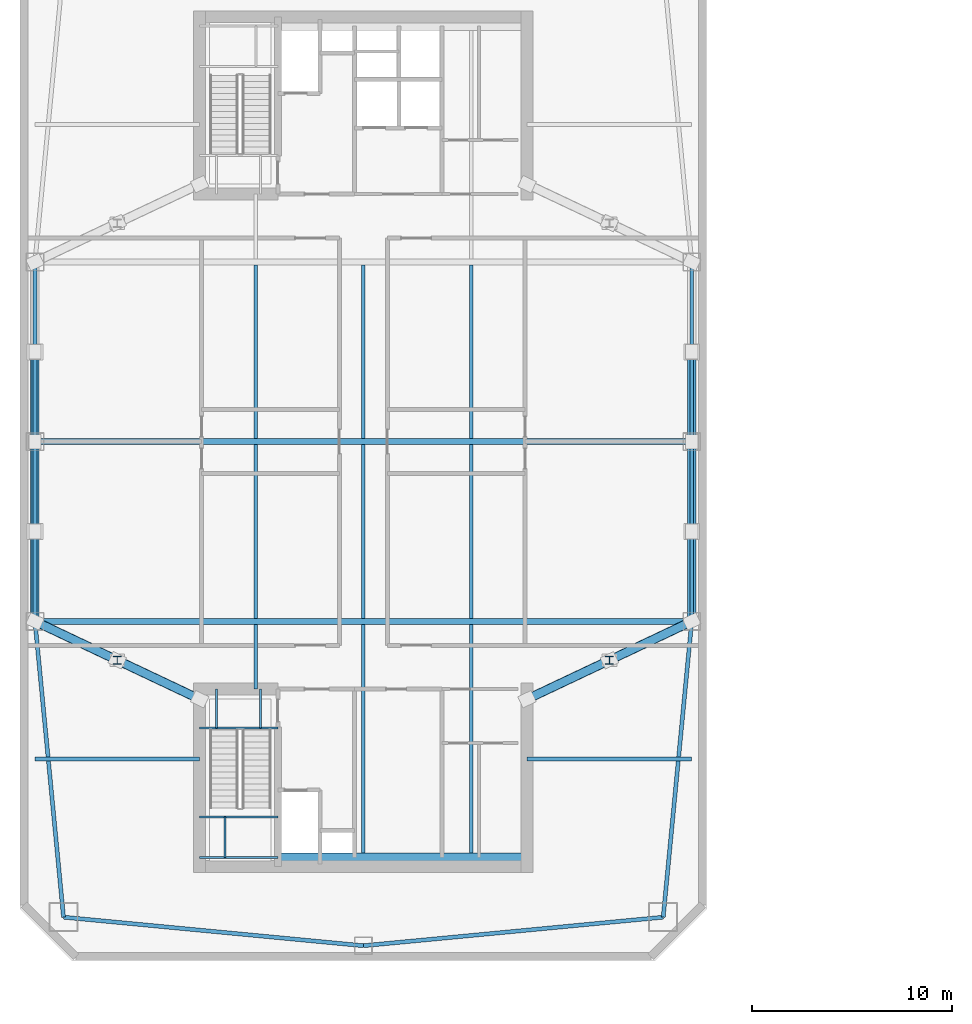
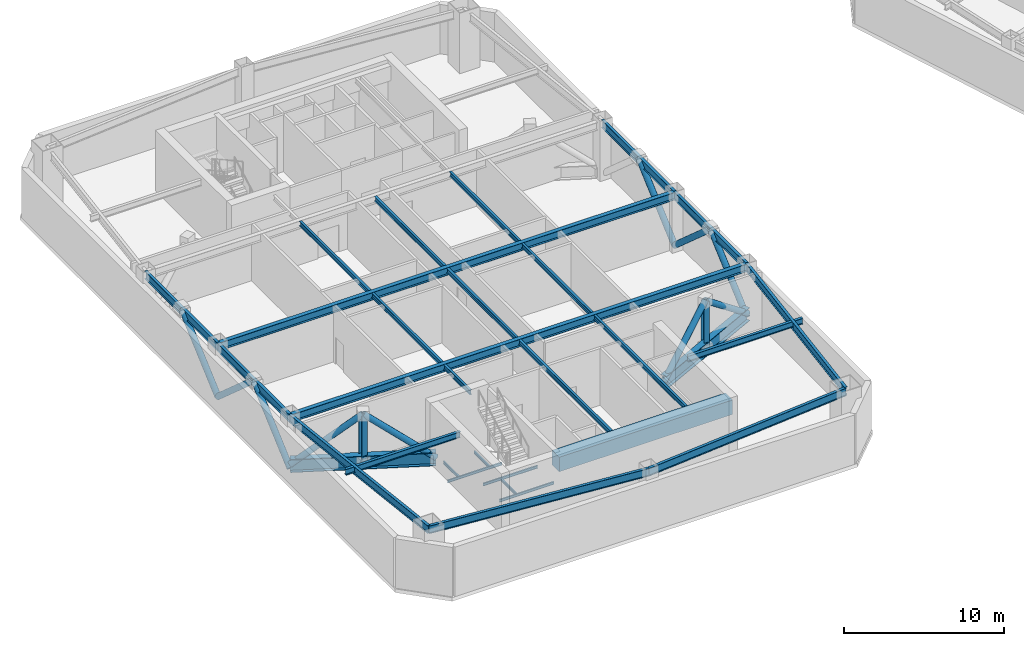
# One storey, part 3 of 17: 30 beams, 12 members.
"""IFC4 building model written with IfcOpenShell, lengths in metres."""

import ifcopenshell
import ifcopenshell.guid

model = None  # the IFC model being written
_history = None  # IfcOwnerHistory: only IFC2X3 demands one
_inside = {}  # id of a spatial element -> (the spatial element, [elements in it])
_under = {}  # id of a project, library or spatial element -> (it, [spatial elements below it])
_declared = {}  # id of a project -> (the project, [libraries it declares])
_typed = {}  # id of a type object -> (the type object, [elements of that type])
_made_of = {}  # id of a material, layer set ... -> (it, [elements and type objects made of it])


def new_model(schema):
    """Start an empty IFC model of exactly this schema.

    Asked for "IFC4X3", IfcOpenShell would pick the latest addendum, in which some entities
    have other attributes; the version numbers below select the first issue.
    IFC2X3 requires an IfcOwnerHistory on every rooted entity: one is made here for all.
    """
    global model, _history
    if schema == "IFC4X3":
        model = ifcopenshell.file(schema_version=(4, 3, 0, 0))
    else:
        model = ifcopenshell.file(schema=schema)
    _inside.clear()
    _under.clear()
    _declared.clear()
    _typed.clear()
    _made_of.clear()
    _history = None
    if model.schema == "IFC2X3":
        org = make("IfcOrganization", Name="unknown")
        user = make(
            "IfcPersonAndOrganization",
            ThePerson=make("IfcPerson", FamilyName="unknown"),
            TheOrganization=org,
        )
        app = make(
            "IfcApplication",
            ApplicationDeveloper=org,
            Version="unknown",
            ApplicationFullName="unknown",
            ApplicationIdentifier="unknown",
        )
        _history = make(
            "IfcOwnerHistory",
            OwningUser=user,
            OwningApplication=app,
            ChangeAction="ADDED",
            CreationDate=0,
        )
    return model


def make(cls, **values):
    """One entity of the class cls with the attributes given. An attribute that is None is left unset."""
    return model.create_entity(
        cls, **{name: value for name, value in values.items() if value is not None}
    )


def rooted(cls, **values):
    """An entity with a GlobalId (a new one), such as an element, a storey or a relation."""
    return make(cls, GlobalId=ifcopenshell.guid.new(), OwnerHistory=_history, **values)


def si_unit(unit_type, name, prefix=None):
    """IfcSIUnit, for example si_unit("LENGTHUNIT", "METRE", prefix="MILLI")."""
    return make("IfcSIUnit", UnitType=unit_type, Prefix=prefix, Name=name)


def assignment(units):
    """IfcUnitAssignment: the units of a project."""
    return None if units is None else make("IfcUnitAssignment", Units=units)


def point(xyz):
    """IfcCartesianPoint."""
    return None if xyz is None else make("IfcCartesianPoint", Coordinates=xyz)


def direction(xyz):
    """IfcDirection."""
    return None if xyz is None else make("IfcDirection", DirectionRatios=xyz)


def frame(location, z_axis=None, x_axis=None):
    """IfcAxis2Placement3D, a coordinate frame: its origin and axes. An axis left out is left unset."""
    return make(
        "IfcAxis2Placement3D",
        Location=point(location),
        Axis=direction(z_axis),
        RefDirection=direction(x_axis),
    )


def frame_2d(location, x_axis=None):
    """IfcAxis2Placement2D, a coordinate frame in the plane: its origin and x axis."""
    return make(
        "IfcAxis2Placement2D", Location=point(location), RefDirection=direction(x_axis)
    )


def origin():
    """The frame at (0, 0, 0) with its axes left unset."""
    return frame((0.0, 0.0, 0.0))


def origin_2d():
    """The frame at (0, 0) in the plane with its x axis left unset."""
    return frame_2d((0.0, 0.0))


def place(relative_to, where):
    """IfcLocalPlacement: puts the frame where relative to a parent placement (None: the world)."""
    return make(
        "IfcLocalPlacement", PlacementRelTo=relative_to, RelativePlacement=where
    )


def context(
    kind, dimensions, precision=None, world=None, true_north=None, identifier=None
):
    """IfcGeometricRepresentationContext, for example the 3D "Model" context."""
    return make(
        "IfcGeometricRepresentationContext",
        ContextIdentifier=identifier,
        ContextType=kind,
        CoordinateSpaceDimension=dimensions,
        Precision=precision,
        WorldCoordinateSystem=world,
        TrueNorth=true_north,
    )


def subcontext(parent, identifier, kind, view, scale=None):
    """IfcGeometricRepresentationSubContext, for example "Body" below "Model"."""
    return make(
        "IfcGeometricRepresentationSubContext",
        ContextIdentifier=identifier,
        ContextType=kind,
        ParentContext=parent,
        TargetScale=scale,
        TargetView=view,
    )


def project(units=None, contexts=None):
    """IfcProject with its units and contexts."""
    return rooted(
        "IfcProject",
        Name="project",
        RepresentationContexts=contexts,
        UnitsInContext=assignment(units),
    )


def spatial(cls, under=None, at=None, **own):
    """A site, building, storey or space (cls), placed at a placement, below another one or the project."""
    s = rooted(cls, ObjectPlacement=at, **own)
    if under is not None:
        _under.setdefault(under.id(), (under, []))[1].append(s)
    return s


def profile(cls, at=None, kind="AREA", **sizes):
    """A parametric profile (cls). Its sizes go by their IFC names, for example OverallWidth=200.0."""
    return make(cls, ProfileType=kind, Position=at, **sizes)


def rectangle(**sizes):
    """IfcRectangleProfileDef."""
    return profile("IfcRectangleProfileDef", **sizes)


def hollow_circle(**sizes):
    """IfcCircleHollowProfileDef."""
    return profile("IfcCircleHollowProfileDef", **sizes)


def i_section(**sizes):
    """IfcIShapeProfileDef."""
    return profile("IfcIShapeProfileDef", **sizes)


def extrude(swept, where, along, depth):
    """IfcExtrudedAreaSolid: the profile swept, set in the frame where, extruded along a direction by depth."""
    return make(
        "IfcExtrudedAreaSolid",
        SweptArea=swept,
        Position=where,
        ExtrudedDirection=direction(along),
        Depth=depth,
    )


def shape(context_of_items, identifier, shape_type, items):
    """IfcShapeRepresentation: the items that make up one representation, for example the "Body"."""
    return make(
        "IfcShapeRepresentation",
        ContextOfItems=context_of_items,
        RepresentationIdentifier=identifier,
        RepresentationType=shape_type,
        Items=items,
    )


def material(Name=None, Category=None):
    """IfcMaterial."""
    return make("IfcMaterial", Name=Name, Category=Category)


def material_profile(
    of_material, cross_section, Name=None, Category=None, Priority=None
):
    """IfcMaterialProfile: a cross section and its material."""
    return make(
        "IfcMaterialProfile",
        Name=Name,
        Material=of_material,
        Profile=cross_section,
        Priority=Priority,
        Category=Category,
    )


def profile_set(profiles, Name=None, composite=None):
    """IfcMaterialProfileSet."""
    return make(
        "IfcMaterialProfileSet",
        Name=Name,
        MaterialProfiles=profiles,
        CompositeProfile=composite,
    )


def made_of(thing, what):
    """Note that an element or type object is made of a material, layer set ...; save() writes the relation."""
    if what is not None:
        _made_of.setdefault(what.id(), (what, []))[1].append(thing)
    return thing


def type_object(cls, material=None, **own):
    """A type object (cls), such as IfcWallType, which elements share."""
    return made_of(rooted(cls, **own), material)


def element(
    cls,
    number,
    at=None,
    inside=None,
    cuts=None,
    type_object=None,
    material=None,
    context=None,
    identifier="Body",
    shape_type=None,
    held_by="IfcProductDefinitionShape",
    body=None,
    shapes=None,
    **own,
):
    """One element of the class cls, such as IfcWall. Its Tag is "e" and its number.

    at: its placement. inside: the storey or other place that contains it. cuts: it is an
    opening in that element (IfcRelVoidsElement). A single representation is given by context,
    identifier, shape_type and body (its items); several are given by shapes. held_by: the class
    of the entity that holds the representations. save() writes the other relations.
    """
    e = rooted(cls, Tag="e%d" % number, ObjectPlacement=at, **own)
    if body is not None:
        shapes = [shape(context, identifier, shape_type, body)]
    if shapes is not None:
        e.Representation = make(held_by, Representations=shapes)
    if inside is not None:
        _inside.setdefault(inside.id(), (inside, []))[1].append(e)
    if cuts is not None:
        rooted(
            "IfcRelVoidsElement", RelatingBuildingElement=cuts, RelatedOpeningElement=e
        )
    if type_object is not None:
        _typed.setdefault(type_object.id(), (type_object, []))[1].append(e)
    return made_of(e, material)


def aggregate(whole, parts):
    """IfcRelAggregates: a whole, such as a stair, and the parts it consists of."""
    return rooted("IfcRelAggregates", RelatingObject=whole, RelatedObjects=parts)


def save(model, path):
    """Write the relations noted so far, then the file.

    IfcRelAggregates (storeys below a building ...), IfcRelContainedInSpatialStructure (elements
    in a storey), IfcRelDefinesByType, IfcRelAssociatesMaterial and IfcRelDeclares: one each for
    every whole, place, type object, material and project.
    """
    for whole, parts in _under.values():
        aggregate(whole, parts)
    for where, things in _inside.values():
        rooted(
            "IfcRelContainedInSpatialStructure",
            RelatedElements=things,
            RelatingStructure=where,
        )
    for kind, things in _typed.values():
        rooted("IfcRelDefinesByType", RelatedObjects=things, RelatingType=kind)
    for what, things in _made_of.values():
        rooted("IfcRelAssociatesMaterial", RelatedObjects=things, RelatingMaterial=what)
    for by, libraries in _declared.values():
        rooted("IfcRelDeclares", RelatingContext=by, RelatedDefinitions=libraries)
    model.write(path)


model = new_model("IFC4")

# Units and contexts
model_context = context("Model", 3, precision=1e-05, world=origin(), true_north=direction((0.0, 1.0)))
body_context = subcontext(model_context, "Body", "Model", "MODEL_VIEW")
ifc_project = project(units=[si_unit("LENGTHUNIT", "METRE"), si_unit("AREAUNIT", "SQUARE_METRE"), si_unit("VOLUMEUNIT", "CUBIC_METRE"), si_unit("PLANEANGLEUNIT", "RADIAN"), si_unit("MASSUNIT", "GRAM", prefix="KILO")], contexts=[model_context])

# Site, building, storey
site_placement = place(None, origin())
site = spatial("IfcSite", under=ifc_project, at=site_placement, CompositionType="ELEMENT")
building_placement = place(site_placement, origin())
building = spatial("IfcBuilding", under=site, at=building_placement, Name="Qiaolan Cultural Towers", CompositionType="ELEMENT")
storey_placement = place(building_placement, frame((0.0, 0.0, 184.0)))
storey = spatial("IfcBuildingStorey", under=building, at=storey_placement, Name="L49", CompositionType="ELEMENT", Elevation=184.0)

# Beams
ifc_material_1 = material(Name="Steel Q390GJB", Category="steel")
ifc_material_profile_1 = material_profile(ifc_material_1, i_section(OverallWidth=0.449951171875, OverallDepth=1.0, WebThickness=0.02392578125, FlangeThickness=0.0400390625, at=origin_2d()), Name="BH1000x450x24x40")
ifc_profile_set_1 = profile_set([ifc_material_profile_1], Name="Steel Q390GJB")
beam_type_1 = type_object("IfcBeamType", Name="BM-BH1000x450x24x40", PredefinedType="BEAM", material=ifc_profile_set_1)
for number, where, z_axis, x_axis, name in (
    (1, (21.800048828125, 21.10009765625, 0.5), (-0.904076401393, 0.427370869906, 0.0), (-0.427370869906, -0.904076401393, 0.0), "L49 T1 Outrigger Bottom Chord Girder WS"),
    (2, (38.199951171875, 21.10009765625, 0.5), (0.904076401393, 0.427370869906, 0.0), (-0.427370869906, 0.904076401393, 0.0), "L49 T1 Outrigger Bottom Chord Girder ES"),
):
    element("IfcBeam", number, at=place(storey_placement, frame(where, z_axis=z_axis, x_axis=x_axis)), inside=storey, type_object=beam_type_1, Name=name, PredefinedType="BEAM", context=body_context, shape_type="SweptSolid", body=[
        extrude(i_section(OverallWidth=0.449951171875, OverallDepth=1.0, WebThickness=0.02392578125, FlangeThickness=0.0400390625, at=origin_2d()), origin(), (0.0, 0.0, 1.0), 9.125244140625),
    ])
ifc_material_2 = material(Name="Steel Q355B", Category="steel")
ifc_material_profile_2 = material_profile(ifc_material_2, i_section(OverallWidth=0.300048828125, OverallDepth=0.587890625, WebThickness=0.011962890625, FlangeThickness=0.02001953125, at=origin_2d()), Name="HM588x300x12x20")
ifc_profile_set_2 = profile_set([ifc_material_profile_2], Name="Steel Q355B")
beam_type_2 = type_object("IfcBeamType", Name="BM-HM588x300x12x20", PredefinedType="BEAM", material=ifc_profile_set_2)
for number, where, z_axis, x_axis, name in (
    (3, (13.550048828125, 25.0, 4.0458984375), (1.0, 0.0, 0.0), (0.0, 1.0, 0.0), "L49 T1 Primary Transverse Girder V1"),
    (4, (13.550048828125, 34.0, 4.0458984375), (1.0, 0.0, 0.0), (0.0, 1.0, 0.0), "L49 T1 Primary Transverse Girder V2"),
):
    element("IfcBeam", number, at=place(storey_placement, frame(where, z_axis=z_axis, x_axis=x_axis)), inside=storey, type_object=beam_type_2, Name=name, PredefinedType="BEAM", context=body_context, shape_type="SweptSolid", body=[
        extrude(i_section(OverallWidth=0.300048828125, OverallDepth=0.587890625, WebThickness=0.011962890625, FlangeThickness=0.02001953125, at=origin_2d()), origin(), (0.0, 0.0, 1.0), 32.89990234375),
    ])
ifc_material_3 = material(Name="Steel Q355B", Category="steel")
ifc_material_profile_3 = material_profile(ifc_material_3, i_section(OverallWidth=0.175048828125, OverallDepth=0.35009765625, WebThickness=0.007080078125, FlangeThickness=0.010986328125, at=origin_2d()), Name="HN350x175x7x11")
ifc_profile_set_3 = profile_set([ifc_material_profile_3], Name="Steel Q355B")
beam_type_3 = type_object("IfcBeamType", Name="BM-JST-HN350x175x7x11", PredefinedType="JOIST", material=ifc_profile_set_3)
beam_1_placement = place(storey_placement, frame((24.60009765625, 21.60009765625, 4.1650390625), z_axis=(0.0, 1.0, 0.0), x_axis=(-1.0, 0.0, 0.0)))
element("IfcBeam", 5, at=beam_1_placement, inside=storey, type_object=beam_type_3, Name="L49 T1 Secondary Floor Joist U1-1", PredefinedType="JOIST", context=body_context, shape_type="SweptSolid", body=[
    extrude(i_section(OverallWidth=0.175048828125, OverallDepth=0.35009765625, WebThickness=0.007080078125, FlangeThickness=0.010986328125, at=origin_2d()), origin(), (0.0, 0.0, 1.0), 3.25),
])
for number, where, z_axis, x_axis, name in (
    (6, (24.60009765625, 25.14990234375, 4.1650390625), (0.0, 1.0, 0.0), (-1.0, 0.0, 0.0), "L49 T1 Secondary Floor Joist U1-2"),
    (7, (24.60009765625, 34.14990234375, 4.1650390625), (0.0, 1.0, 0.0), (-1.0, 0.0, 0.0), "L49 T1 Secondary Floor Joist U1-3"),
):
    element("IfcBeam", number, at=place(storey_placement, frame(where, z_axis=z_axis, x_axis=x_axis)), inside=storey, type_object=beam_type_3, Name=name, PredefinedType="JOIST", context=body_context, shape_type="SweptSolid", body=[
        extrude(i_section(OverallWidth=0.175048828125, OverallDepth=0.35009765625, WebThickness=0.007080078125, FlangeThickness=0.010986328125, at=origin_2d()), origin(), (0.0, 0.0, 1.0), 8.7001953125),
    ])
beam_2_placement = place(storey_placement, frame((30.0, 13.39990234375, 4.1650390625), z_axis=(0.0, 1.0, 0.0), x_axis=(-1.0, 0.0, 0.0)))
element("IfcBeam", 8, at=beam_2_placement, inside=storey, type_object=beam_type_3, Name="L49 T1 Secondary Floor Joist U2-1", PredefinedType="JOIST", context=body_context, shape_type="SweptSolid", body=[
    extrude(i_section(OverallWidth=0.175048828125, OverallDepth=0.35009765625, WebThickness=0.007080078125, FlangeThickness=0.010986328125, at=origin_2d()), origin(), (0.0, 0.0, 1.0), 11.4501953125),
])
for number, where, z_axis, x_axis, name in (
    (9, (30.0, 25.14990234375, 4.1650390625), (0.0, 1.0, 0.0), (-1.0, 0.0, 0.0), "L49 T1 Secondary Floor Joist U2-2"),
    (10, (30.0, 34.14990234375, 4.1650390625), (0.0, 1.0, 0.0), (-1.0, 0.0, 0.0), "L49 T1 Secondary Floor Joist U2-3"),
):
    element("IfcBeam", number, at=place(storey_placement, frame(where, z_axis=z_axis, x_axis=x_axis)), inside=storey, type_object=beam_type_3, Name=name, PredefinedType="JOIST", context=body_context, shape_type="SweptSolid", body=[
        extrude(i_section(OverallWidth=0.175048828125, OverallDepth=0.35009765625, WebThickness=0.007080078125, FlangeThickness=0.010986328125, at=origin_2d()), origin(), (0.0, 0.0, 1.0), 8.7001953125),
    ])
beam_3_placement = place(storey_placement, frame((35.39990234375, 13.39990234375, 4.1650390625), z_axis=(0.0, 1.0, 0.0), x_axis=(-1.0, 0.0, 0.0)))
element("IfcBeam", 11, at=beam_3_placement, inside=storey, type_object=beam_type_3, Name="L49 T1 Secondary Floor Joist U3-1", PredefinedType="JOIST", context=body_context, shape_type="SweptSolid", body=[
    extrude(i_section(OverallWidth=0.175048828125, OverallDepth=0.35009765625, WebThickness=0.007080078125, FlangeThickness=0.010986328125, at=origin_2d()), origin(), (0.0, 0.0, 1.0), 11.4501953125),
])
for number, where, z_axis, x_axis, name in (
    (12, (35.39990234375, 25.14990234375, 4.1650390625), (0.0, 1.0, 0.0), (-1.0, 0.0, 0.0), "L49 T1 Secondary Floor Joist U3-2"),
    (13, (35.39990234375, 34.14990234375, 4.1650390625), (0.0, 1.0, 0.0), (-1.0, 0.0, 0.0), "L49 T1 Secondary Floor Joist U3-3"),
):
    element("IfcBeam", number, at=place(storey_placement, frame(where, z_axis=z_axis, x_axis=x_axis)), inside=storey, type_object=beam_type_3, Name=name, PredefinedType="JOIST", context=body_context, shape_type="SweptSolid", body=[
        extrude(i_section(OverallWidth=0.175048828125, OverallDepth=0.35009765625, WebThickness=0.007080078125, FlangeThickness=0.010986328125, at=origin_2d()), origin(), (0.0, 0.0, 1.0), 8.7001953125),
    ])
ifc_material_4 = material(Name="Steel Q355B", Category="steel")
ifc_material_profile_4 = material_profile(ifc_material_4, i_section(OverallWidth=0.199951171875, OverallDepth=0.449951171875, WebThickness=0.009033203125, FlangeThickness=0.013916015625, at=origin_2d()), Name="HN450x200x9x14")
ifc_profile_set_4 = profile_set([ifc_material_profile_4], Name="Steel Q355B")
beam_type_4 = type_object("IfcBeamType", Name="BM-LNT-HN450x200x9x14", PredefinedType="LINTEL", material=ifc_profile_set_4)
for number, where, z_axis, x_axis, name in (
    (14, (21.800048828125, 18.10009765625, 4.114990234375), (-1.0, 0.0, 0.0), (0.0, -1.0, 0.0), "L49 T1 Core Flank Tie Lintel WS"),
    (15, (38.199951171875, 18.10009765625, 4.114990234375), (1.0, 0.0, 0.0), (0.0, 1.0, 0.0), "L49 T1 Core Flank Tie Lintel ES"),
):
    element("IfcBeam", number, at=place(storey_placement, frame(where, z_axis=z_axis, x_axis=x_axis)), inside=storey, type_object=beam_type_4, Name=name, PredefinedType="LINTEL", context=body_context, shape_type="SweptSolid", body=[
        extrude(i_section(OverallWidth=0.199951171875, OverallDepth=0.449951171875, WebThickness=0.009033203125, FlangeThickness=0.013916015625, at=origin_2d()), origin(), (0.0, 0.0, 1.0), 8.25),
    ])
ifc_material_5 = material(Name="Concrete C50", Category="concrete")
ifc_material_profile_5 = material_profile(ifc_material_5, rectangle(XDim=0.89990234375, YDim=1.10009765625, at=origin_2d()), Name="RC900x1100")
ifc_profile_set_5 = profile_set([ifc_material_profile_5], Name="Concrete C50")
beam_type_5 = type_object("IfcBeamType", Name="BM-RC900x1100", PredefinedType="BEAM", material=ifc_profile_set_5)
beam_4_placement = place(storey_placement, frame((25.719970703125, 12.949951171875, 3.7900390625), z_axis=(1.0, 0.0, 0.0), x_axis=(0.0, 1.0, 0.0)))
element("IfcBeam", 16, at=beam_4_placement, inside=storey, type_object=beam_type_5, Name="L49 T1 Core Header Girder S", PredefinedType="BEAM", context=body_context, shape_type="SweptSolid", body=[
    extrude(rectangle(XDim=0.89990234375, YDim=1.10009765625, at=origin_2d()), origin(), (0.0, 0.0, 1.0), 12.47998046875),
])
ifc_material_6 = material(Name="Steel Q355B", Category="steel")
ifc_material_profile_6 = material_profile(ifc_material_6, i_section(OverallWidth=0.199951171875, OverallDepth=0.60009765625, WebThickness=0.010986328125, FlangeThickness=0.01708984375, at=origin_2d()), Name="HN600x200x11x17")
ifc_profile_set_6 = profile_set([ifc_material_profile_6], Name="Steel Q355B")
beam_type_6 = type_object("IfcBeamType", Name="BM-SPD-HN600x200x11x17", PredefinedType="SPANDREL", material=ifc_profile_set_6)
for number, where, z_axis, x_axis, name in (
    (17, (14.97998046875, 10.179931640625, 4.0400390625), (0.995498889995, -0.094773203061, 0.0), (0.094773203061, 0.995498889995, 0.0), "L49 T1 Perimeter Spandrel Beam 1"),
    (18, (30.0, 8.75, 4.0400390625), (0.995498889995, 0.094773203061, 0.0), (-0.094773203061, 0.995498889995, 0.0), "L49 T1 Perimeter Spandrel Beam 2"),
):
    element("IfcBeam", number, at=place(storey_placement, frame(where, z_axis=z_axis, x_axis=x_axis)), inside=storey, type_object=beam_type_6, Name=name, PredefinedType="SPANDREL", context=body_context, shape_type="SweptSolid", body=[
        extrude(i_section(OverallWidth=0.199951171875, OverallDepth=0.60009765625, WebThickness=0.010986328125, FlangeThickness=0.01708984375, at=origin_2d()), origin(), (0.0, 0.0, 1.0), 15.087890625),
    ])
beam_5_placement = place(storey_placement, frame((45.02001953125, 10.179931640625, 4.0400390625), z_axis=(0.096040159186, 0.995377459974, 0.0), x_axis=(-0.995377459974, 0.096040159186, 0.0)))
element("IfcBeam", 19, at=beam_5_placement, inside=storey, type_object=beam_type_6, Name="L49 T1 Perimeter Spandrel Beam 3", PredefinedType="SPANDREL", context=body_context, shape_type="SweptSolid", body=[
    extrude(i_section(OverallWidth=0.199951171875, OverallDepth=0.60009765625, WebThickness=0.010986328125, FlangeThickness=0.01708984375, at=origin_2d()), origin(), (0.0, 0.0, 1.0), 14.888916015625),
])
for number, where, z_axis, x_axis, name in (
    (20, (46.449951171875, 25.0, 4.0400390625), (0.0, 1.0, 0.0), (-1.0, 0.0, 0.0), "L49 T1 Perimeter Spandrel Beam 4"),
    (21, (46.449951171875, 34.0, 4.0400390625), (0.0, 1.0, 0.0), (-1.0, 0.0, 0.0), "L49 T1 Perimeter Spandrel Beam 5"),
    (22, (13.550048828125, 43.0, 4.0400390625), (0.0, -1.0, 0.0), (1.0, 0.0, 0.0), "L49 T1 Perimeter Spandrel Beam 10"),
    (23, (13.550048828125, 34.0, 4.0400390625), (0.0, -1.0, 0.0), (1.0, 0.0, 0.0), "L49 T1 Perimeter Spandrel Beam 11"),
):
    element("IfcBeam", number, at=place(storey_placement, frame(where, z_axis=z_axis, x_axis=x_axis)), inside=storey, type_object=beam_type_6, Name=name, PredefinedType="SPANDREL", context=body_context, shape_type="SweptSolid", body=[
        extrude(i_section(OverallWidth=0.199951171875, OverallDepth=0.60009765625, WebThickness=0.010986328125, FlangeThickness=0.01708984375, at=origin_2d()), origin(), (0.0, 0.0, 1.0), 9.0),
    ])
beam_6_placement = place(storey_placement, frame((13.550048828125, 25.0, 4.0400390625), z_axis=(0.096040159186, -0.995377459974, 0.0), x_axis=(0.995377459974, 0.096040159186, 0.0)))
element("IfcBeam", 24, at=beam_6_placement, inside=storey, type_object=beam_type_6, Name="L49 T1 Perimeter Spandrel Beam 12", PredefinedType="SPANDREL", context=body_context, shape_type="SweptSolid", body=[
    extrude(i_section(OverallWidth=0.199951171875, OverallDepth=0.60009765625, WebThickness=0.010986328125, FlangeThickness=0.01708984375, at=origin_2d()), origin(), (0.0, 0.0, 1.0), 14.888916015625),
])
ifc_material_7 = material(Name="Steel Q355B", Category="steel")
ifc_material_profile_7 = material_profile(ifc_material_7, i_section(OverallWidth=0.10009765625, OverallDepth=0.199951171875, WebThickness=0.005615234375, FlangeThickness=0.008056640625, at=origin_2d()), Name="HN200x100x5.5x8")
ifc_profile_set_7 = profile_set([ifc_material_profile_7], Name="Steel Q355B")
beam_type_7 = type_object("IfcBeamType", Name="BM-STTRIM-200", PredefinedType="BEAM", material=ifc_profile_set_7)
beam_7_placement = place(storey_placement, frame((21.800048828125, 19.659912109375, -0.4599609375), z_axis=(1.0, 0.0, 0.0), x_axis=(0.0, 1.0, 0.0)))
element("IfcBeam", 25, at=beam_7_placement, inside=storey, type_object=beam_type_7, Name="L49 ST-W1 Floor Landing Header Beam", PredefinedType="BEAM", context=body_context, shape_type="SweptSolid", body=[
    extrude(i_section(OverallWidth=0.10009765625, OverallDepth=0.199951171875, WebThickness=0.005615234375, FlangeThickness=0.008056640625, at=origin_2d()), origin(), (0.0, 0.0, 1.0), 3.919921875),
])
for number, where, z_axis, x_axis, name in (
    (26, (22.64990234375, 21.60009765625, -0.4599609375), (0.0, -1.0, 0.0), (1.0, 0.0, 0.0), "L49 ST-W1 Floor Landing Stringer 1"),
    (27, (24.85009765625, 21.60009765625, -0.4599609375), (0.0, -1.0, 0.0), (1.0, 0.0, 0.0), "L49 ST-W1 Floor Landing Stringer 2"),
):
    element("IfcBeam", number, at=place(storey_placement, frame(where, z_axis=z_axis, x_axis=x_axis)), inside=storey, type_object=beam_type_7, Name=name, PredefinedType="BEAM", context=body_context, shape_type="SweptSolid", body=[
        extrude(i_section(OverallWidth=0.10009765625, OverallDepth=0.199951171875, WebThickness=0.005615234375, FlangeThickness=0.008056640625, at=origin_2d()), origin(), (0.0, 0.0, 1.0), 1.940185546875),
    ])
for number, where, z_axis, x_axis, name in (
    (28, (21.800048828125, 15.211181640625, 2.0), (1.0, 0.0, 0.0), (0.0, 1.0, 0.0), "L49 ST-W1 Stair Landing Support Beam 1-1"),
    (29, (21.800048828125, 13.179931640625, 2.0), (1.0, 0.0, 0.0), (0.0, 1.0, 0.0), "L49 ST-W1 Stair Landing Support Beam 1-2"),
):
    element("IfcBeam", number, at=place(storey_placement, frame(where, z_axis=z_axis, x_axis=x_axis)), inside=storey, type_object=beam_type_7, Name=name, PredefinedType="BEAM", context=body_context, shape_type="SweptSolid", body=[
        extrude(i_section(OverallWidth=0.10009765625, OverallDepth=0.199951171875, WebThickness=0.005615234375, FlangeThickness=0.008056640625, at=origin_2d()), origin(), (0.0, 0.0, 1.0), 3.919921875),
    ])
beam_8_placement = place(storey_placement, frame((23.070068359375, 15.211181640625, 2.0), z_axis=(0.0, -1.0, 0.0), x_axis=(1.0, 0.0, 0.0)))
element("IfcBeam", 30, at=beam_8_placement, inside=storey, type_object=beam_type_7, Name="L49 ST-W1 Stair Landing Trimmer 1", PredefinedType="BEAM", context=body_context, shape_type="SweptSolid", body=[
    extrude(i_section(OverallWidth=0.10009765625, OverallDepth=0.199951171875, WebThickness=0.005615234375, FlangeThickness=0.008056640625, at=origin_2d()), origin(), (0.0, 0.0, 1.0), 2.03125),
])

# Members
ifc_material_8 = material(Name="Steel Q355B", Category="steel")
ifc_material_profile_8 = material_profile(ifc_material_8, hollow_circle(Radius=0.212890625, WallThickness=0.02001953125, at=origin_2d()), Name="CHS426x20")
ifc_profile_set_8 = profile_set([ifc_material_profile_8], Name="Steel Q355B")
member_type_1 = type_object("IfcMemberType", Name="MBR-BRC-CHS426x20", PredefinedType="BRACE", material=ifc_profile_set_8)
for number, where, z_axis, x_axis, name in (
    (31, (21.800048828125, 21.10009765625, 0.5), (-0.711260877954, 0.336223995751, 0.617301699474), (-0.427370869906, -0.904076401393, 0.0), "L49 T1 Outrigger Truss Diagonal WS-1"),
    (32, (17.675048828125, 23.050048828125, 4.080078125), (-0.711260877954, 0.336223995751, -0.617301699474), (-0.427370869906, -0.904076401393, 0.0), "L49 T1 Outrigger Truss Diagonal WS-2"),
    (33, (38.199951171875, 21.10009765625, 0.5), (0.711260877954, 0.336223995751, 0.617301699474), (-0.427370869906, 0.904076401393, 0.0), "L49 T1 Outrigger Truss Diagonal ES-1"),
    (34, (42.324951171875, 23.050048828125, 4.080078125), (0.711260877954, 0.336223995751, -0.617301699474), (-0.427370869906, 0.904076401393, 0.0), "L49 T1 Outrigger Truss Diagonal ES-2"),
):
    element("IfcMember", number, at=place(storey_placement, frame(where, z_axis=z_axis, x_axis=x_axis)), inside=storey, type_object=member_type_1, Name=name, PredefinedType="BRACE", context=body_context, shape_type="SweptSolid", body=[
        extrude(hollow_circle(Radius=0.212890625, WallThickness=0.02001953125, at=origin_2d()), origin(), (0.0, 0.0, 1.0), 5.799560546875),
    ])
for number, where, z_axis, x_axis, name in (
    (35, (13.550048828125, 25.0, 0.199951171875), (0.0, 0.749061716489, 0.662500222559), (-1.0, 0.0, 0.0), "L49 T1 Perimeter Belt Truss W1-A"),
    (36, (13.550048828125, 29.5, 4.179931640625), (0.0, 0.749061716489, -0.662500222559), (-1.0, 0.0, 0.0), "L49 T1 Perimeter Belt Truss W1-B"),
    (37, (13.550048828125, 34.0, 0.199951171875), (0.0, 0.749061716489, 0.662500222559), (-1.0, 0.0, 0.0), "L49 T1 Perimeter Belt Truss W2-A"),
    (38, (46.449951171875, 25.0, 0.199951171875), (0.0, 0.749061716489, 0.662500222559), (-1.0, 0.0, 0.0), "L49 T1 Perimeter Belt Truss E1-A"),
    (39, (46.449951171875, 29.5, 4.179931640625), (0.0, 0.749061716489, -0.662500222559), (-1.0, 0.0, 0.0), "L49 T1 Perimeter Belt Truss E1-B"),
    (40, (46.449951171875, 34.0, 0.199951171875), (0.0, 0.749061716489, 0.662500222559), (-1.0, 0.0, 0.0), "L49 T1 Perimeter Belt Truss E2-A"),
):
    element("IfcMember", number, at=place(storey_placement, frame(where, z_axis=z_axis, x_axis=x_axis)), inside=storey, type_object=member_type_1, Name=name, PredefinedType="BRACE", context=body_context, shape_type="SweptSolid", body=[
        extrude(hollow_circle(Radius=0.212890625, WallThickness=0.02001953125, at=origin_2d()), origin(), (0.0, 0.0, 1.0), 6.007568359375),
    ])
ifc_material_9 = material(Name="Steel Q355B", Category="steel")
ifc_material_profile_9 = material_profile(ifc_material_9, i_section(OverallWidth=0.39990234375, OverallDepth=0.39990234375, WebThickness=0.012939453125, FlangeThickness=0.02099609375, at=origin_2d()), Name="HW400x400x13x21")
ifc_profile_set_9 = profile_set([ifc_material_profile_9], Name="Steel Q355B")
member_type_2 = type_object("IfcMemberType", Name="MBR-POST-HW400x400x13x21", PredefinedType="STUD", material=ifc_profile_set_9)
for number, where, z_axis, x_axis, name in (
    (41, (17.675048828125, 23.050048828125, 0.5), (0.0, 0.0, 1.0), (1.0, 0.0, 0.0), "L49 T1 Outrigger King Web WS"),
    (42, (42.324951171875, 23.050048828125, 0.5), (0.0, 0.0, 1.0), (1.0, 0.0, 0.0), "L49 T1 Outrigger King Web ES"),
):
    element("IfcMember", number, at=place(storey_placement, frame(where, z_axis=z_axis, x_axis=x_axis)), inside=storey, type_object=member_type_2, Name=name, PredefinedType="STUD", context=body_context, shape_type="SweptSolid", body=[
        extrude(i_section(OverallWidth=0.39990234375, OverallDepth=0.39990234375, WebThickness=0.012939453125, FlangeThickness=0.02099609375, at=origin_2d()), origin(), (0.0, 0.0, 1.0), 3.580078125),
    ])

save(model, "model.ifc")
